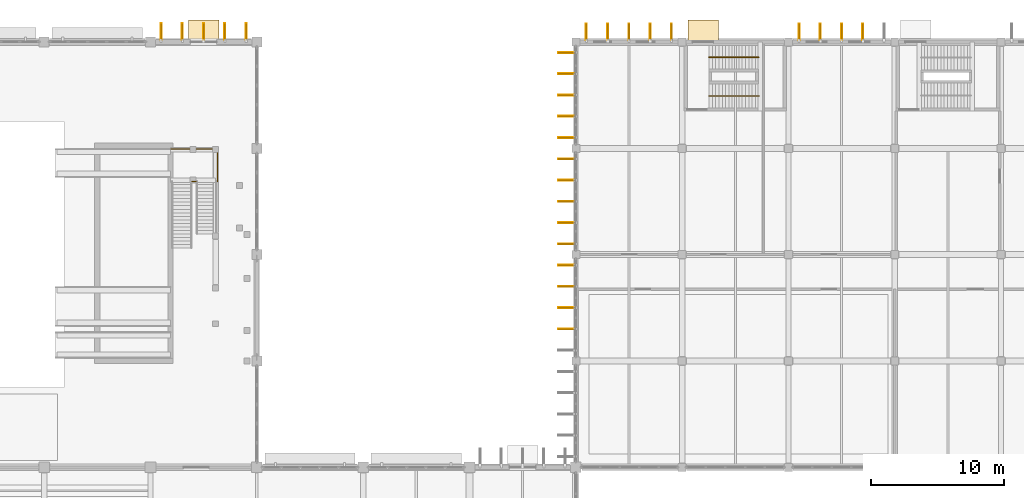
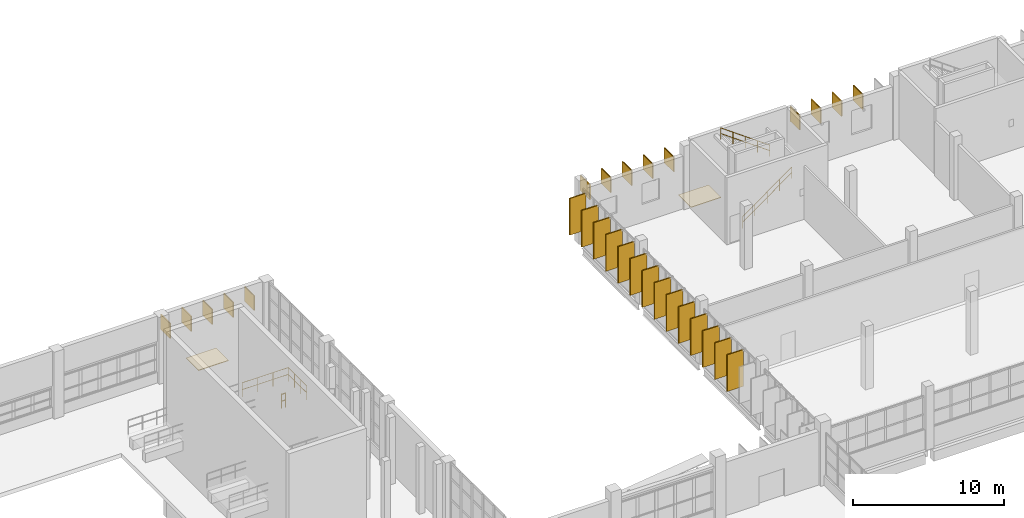
# One storey, part 99 of 103: 30 coverings, 28 shading devices, 5 railings.
"""IFC4 building model written with IfcOpenShell, lengths in metres."""

from ifc_helpers import new_model, si_unit, direction, frame, origin, origin_2d, place, context, subcontext, project, spatial, polyline, rectangle, circle, outline, extrude, material, layer, layer_set, type_object, element, save


model = new_model("IFC4")

# Units and contexts
model_context = context("Model", 3, precision=1e-05, world=origin(), true_north=direction((0.0, 1.0)))
body_context = subcontext(model_context, "Body", "Model", "MODEL_VIEW")
ifc_project = project(units=[si_unit("LENGTHUNIT", "METRE"), si_unit("AREAUNIT", "SQUARE_METRE"), si_unit("VOLUMEUNIT", "CUBIC_METRE"), si_unit("PLANEANGLEUNIT", "RADIAN"), si_unit("MASSUNIT", "GRAM", prefix="KILO")], contexts=[model_context])

# Site, building, storey
site_placement = place(None, origin())
site = spatial("IfcSite", under=ifc_project, at=site_placement, CompositionType="ELEMENT")
building_placement = place(site_placement, origin())
building = spatial("IfcBuilding", under=site, at=building_placement, Name="Drelvana Railside Aquatics Centre", CompositionType="ELEMENT")
storey_placement = place(building_placement, origin())
storey = spatial("IfcBuildingStorey", under=building, at=storey_placement, Name="L00", CompositionType="ELEMENT", Elevation=0.0)

# Coverings
ifc_material_1 = material(Name="Catalan trencadis polychrome ceramic mosaic cladding", Category="masonry")
ifc_layer = layer(ifc_material_1, 0.044921875, Name="Catalan trencadis polychrome ceramic mosaic cladding")
ifc_layer_set = layer_set([ifc_layer], Name="Catalan trencadis polychrome ceramic mosaic cladding")
covering_type_1 = type_object("IfcCoveringType", Name="COV-CLAD-TRENCADIS", PredefinedType="CLADDING", material=ifc_layer_set)
covering_1_placement = place(storey_placement, frame((0.0, 0.0, -0.2548828125)))
element("IfcCovering", 1, at=covering_1_placement, inside=storey, type_object=covering_type_1, Name="Threshold apron bedding trim 005", PredefinedType="CLADDING", context=body_context, shape_type="SweptSolid", body=[
    extrude(outline(polyline([(66.85009765625, 116.0048828125), (69.14990234375, 116.0048828125), (69.14990234375, 117.655029296875), (66.85009765625, 117.655029296875), (66.85009765625, 116.0048828125)])), origin(), (0.0, 0.0, 1.0), 0.044921875),
])
covering_2_placement = place(storey_placement, frame((0.0, 0.0, -0.2548828125)))
element("IfcCovering", 2, at=covering_2_placement, inside=storey, type_object=covering_type_1, Name="Threshold apron bedding trim 014", PredefinedType="CLADDING", context=body_context, shape_type="SweptSolid", body=[
    extrude(outline(polyline([(104.425048828125, 116.0048828125), (106.72509765625, 116.0048828125), (106.72509765625, 117.655029296875), (104.425048828125, 117.655029296875), (104.425048828125, 116.0048828125)])), origin(), (0.0, 0.0, 1.0), 0.044921875),
])
ifc_material_2 = material(Name="Bronze-anodised extruded aluminium 6063-T6", Category="aluminium")
covering_type_2 = type_object("IfcCoveringType", Name="COV-FIN-ALU", PredefinedType="CLADDING", material=ifc_material_2)
for number, where, z_axis, x_axis, name in (
    (3, (64.800048828125, 116.760009765625, 3.0), (0.0, 0.0, 1.0), (1.0, 0.0, 0.0), "Vertical aluminium fin cladding CF-0190"),
    (4, (66.39990234375, 116.760009765625, 3.0), (0.0, 0.0, 1.0), (1.0, 0.0, 0.0), "Vertical aluminium fin cladding CF-0191"),
    (5, (68.0, 116.760009765625, 3.0), (0.0, 0.0, 1.0), (1.0, 0.0, 0.0), "Vertical aluminium fin cladding CF-0192"),
    (6, (69.60009765625, 116.760009765625, 3.0), (0.0, 0.0, 1.0), (1.0, 0.0, 0.0), "Vertical aluminium fin cladding CF-0193"),
    (7, (71.199951171875, 116.760009765625, 3.0), (0.0, 0.0, 1.0), (1.0, 0.0, 0.0), "Vertical aluminium fin cladding CF-0194"),
    (8, (96.800048828125, 116.7451171875, 3.0), (0.0, 0.0, 1.0), (1.0, 0.0, 0.0), "Vertical aluminium fin cladding CF-0466"),
    (9, (98.39990234375, 116.7451171875, 3.0), (0.0, 0.0, 1.0), (1.0, 0.0, 0.0), "Vertical aluminium fin cladding CF-0467"),
    (10, (100.0, 116.7451171875, 3.0), (0.0, 0.0, 1.0), (1.0, 0.0, 0.0), "Vertical aluminium fin cladding CF-0468"),
    (11, (101.60009765625, 116.7451171875, 3.0), (0.0, 0.0, 1.0), (1.0, 0.0, 0.0), "Vertical aluminium fin cladding CF-0469"),
    (12, (103.199951171875, 116.7451171875, 3.0), (0.0, 0.0, 1.0), (1.0, 0.0, 0.0), "Vertical aluminium fin cladding CF-0470"),
    (13, (112.800048828125, 116.7451171875, 3.0), (0.0, 0.0, 1.0), (1.0, 0.0, 0.0), "Vertical aluminium fin cladding CF-0476"),
    (14, (114.39990234375, 116.7451171875, 3.0), (0.0, 0.0, 1.0), (1.0, 0.0, 0.0), "Vertical aluminium fin cladding CF-0477"),
    (15, (116.0, 116.7451171875, 3.0), (0.0, 0.0, 1.0), (1.0, 0.0, 0.0), "Vertical aluminium fin cladding CF-0478"),
    (16, (117.60009765625, 116.7451171875, 3.0), (0.0, 0.0, 1.0), (1.0, 0.0, 0.0), "Vertical aluminium fin cladding CF-0479"),
):
    element("IfcCovering", number, at=place(storey_placement, frame(where, z_axis=z_axis, x_axis=x_axis)), inside=storey, type_object=covering_type_2, Name=name, PredefinedType="CLADDING", context=body_context, shape_type="SweptSolid", body=[
        extrude(rectangle(XDim=0.0849609375, YDim=1.25, at=origin_2d()), origin(), (0.0, 0.0, 1.0), 1.199951171875),
    ])
for number, where, z_axis, x_axis, name in (
    (17, (95.31494140625, 94.39990234375, 1.4501953125), (0.0, 0.0, 1.0), (0.0, 1.0, 0.0), "Vertical aluminium fin cladding CF-0507"),
    (18, (95.31494140625, 96.0, 1.4501953125), (0.0, 0.0, 1.0), (0.0, 1.0, 0.0), "Vertical aluminium fin cladding CF-0508"),
    (19, (95.31494140625, 97.60009765625, 1.4501953125), (0.0, 0.0, 1.0), (0.0, 1.0, 0.0), "Vertical aluminium fin cladding CF-0509"),
    (20, (95.31494140625, 99.199951171875, 1.4501953125), (0.0, 0.0, 1.0), (0.0, 1.0, 0.0), "Vertical aluminium fin cladding CF-0510"),
    (21, (95.31494140625, 100.800048828125, 1.4501953125), (0.0, 0.0, 1.0), (0.0, 1.0, 0.0), "Vertical aluminium fin cladding CF-0516"),
    (22, (95.31494140625, 102.39990234375, 1.4501953125), (0.0, 0.0, 1.0), (0.0, 1.0, 0.0), "Vertical aluminium fin cladding CF-0517"),
    (23, (95.31494140625, 104.0, 1.4501953125), (0.0, 0.0, 1.0), (0.0, 1.0, 0.0), "Vertical aluminium fin cladding CF-0518"),
    (24, (95.31494140625, 105.60009765625, 1.4501953125), (0.0, 0.0, 1.0), (0.0, 1.0, 0.0), "Vertical aluminium fin cladding CF-0519"),
    (25, (95.31494140625, 107.199951171875, 1.4501953125), (0.0, 0.0, 1.0), (0.0, 1.0, 0.0), "Vertical aluminium fin cladding CF-0520"),
    (26, (95.31494140625, 108.800048828125, 1.4501953125), (0.0, 0.0, 1.0), (0.0, 1.0, 0.0), "Vertical aluminium fin cladding CF-0526"),
    (27, (95.31494140625, 110.39990234375, 1.4501953125), (0.0, 0.0, 1.0), (0.0, 1.0, 0.0), "Vertical aluminium fin cladding CF-0527"),
    (28, (95.31494140625, 112.0, 1.4501953125), (0.0, 0.0, 1.0), (0.0, 1.0, 0.0), "Vertical aluminium fin cladding CF-0528"),
    (29, (95.31494140625, 113.60009765625, 1.4501953125), (0.0, 0.0, 1.0), (0.0, 1.0, 0.0), "Vertical aluminium fin cladding CF-0529"),
    (30, (95.31494140625, 115.199951171875, 1.4501953125), (0.0, 0.0, 1.0), (0.0, 1.0, 0.0), "Vertical aluminium fin cladding CF-0530"),
):
    element("IfcCovering", number, at=place(storey_placement, frame(where, z_axis=z_axis, x_axis=x_axis)), inside=storey, type_object=covering_type_2, Name=name, PredefinedType="CLADDING", context=body_context, shape_type="SweptSolid", body=[
        extrude(rectangle(XDim=0.0849609375, YDim=1.25, at=origin_2d()), origin(), (0.0, 0.0, 1.0), 2.949951171875),
    ])

# Railings
ifc_material_3 = material(Name="Brushed stainless steel stair pitch handrail", Category="steel")
railing_type_1 = type_object("IfcRailingType", Name="RAL-HANDRAIL-950", PredefinedType="HANDRAIL", material=ifc_material_3)
railing_1_placement = place(storey_placement, frame((106.02001953125, 111.949951171875, 0.0)))
element("IfcRailing", 31, at=railing_1_placement, inside=storey, type_object=railing_type_1, Name="Stair ST-11 flight 1 handrail (L00)", PredefinedType="HANDRAIL", context=body_context, shape_type="SweptSolid", body=[
    extrude(circle(Radius=0.02392578125, at=origin_2d()), frame((0.0, 0.0, 0.92578125), z_axis=(0.811539352079, 0.0, 0.584297766578), x_axis=(0.0, 1.0, 0.0)), (0.0, 0.0, 1.0), 4.620849609375),
    extrude(circle(Radius=0.02392578125, at=origin_2d()), frame((0.0, 0.0, 0.47509765625), z_axis=(0.811539352079, 0.0, 0.584297766578), x_axis=(0.0, 1.0, 0.0)), (0.0, 0.0, 1.0), 4.620849609375),
    extrude(circle(Radius=0.02099609375, at=origin_2d()), origin(), (0.0, 0.0, 1.0), 0.90185546875),
    extrude(circle(Radius=0.02099609375, at=origin_2d()), frame((0.9375, 0.0, 0.675048828125)), (0.0, 0.0, 1.0), 0.90185546875),
    extrude(circle(Radius=0.02099609375, at=origin_2d()), frame((1.875, 0.0, 1.35009765625)), (0.0, 0.0, 1.0), 0.90185546875),
    extrude(circle(Radius=0.02099609375, at=origin_2d()), frame((2.8125, 0.0, 2.02490234375)), (0.0, 0.0, 1.0), 0.90185546875),
    extrude(circle(Radius=0.02099609375, at=origin_2d()), frame((3.75, 0.0, 2.699951171875)), (0.0, 0.0, 1.0), 0.90185546875),
])
railing_2_placement = place(storey_placement, frame((109.77001953125, 114.85009765625, 2.699951171875)))
element("IfcRailing", 32, at=railing_2_placement, inside=storey, type_object=railing_type_1, Name="Stair ST-11 flight 2 handrail (L00)", PredefinedType="HANDRAIL", context=body_context, shape_type="SweptSolid", body=[
    extrude(circle(Radius=0.02392578125, at=origin_2d()), frame((0.0, 0.0, 0.92578125), z_axis=(-0.811539352079, 0.0, 0.584297766578), x_axis=(0.0, -1.0, 0.0)), (0.0, 0.0, 1.0), 4.620849609375),
    extrude(circle(Radius=0.02392578125, at=origin_2d()), frame((0.0, 0.0, 0.47509765625), z_axis=(-0.811539352079, 0.0, 0.584297766578), x_axis=(0.0, -1.0, 0.0)), (0.0, 0.0, 1.0), 4.620849609375),
    extrude(circle(Radius=0.02099609375, at=origin_2d()), origin(), (0.0, 0.0, 1.0), 0.90185546875),
    extrude(circle(Radius=0.02099609375, at=origin_2d()), frame((-0.9375, 0.0, 0.675048828125)), (0.0, 0.0, 1.0), 0.90185546875),
    extrude(circle(Radius=0.02099609375, at=origin_2d()), frame((-1.875, 0.0, 1.35009765625)), (0.0, 0.0, 1.0), 0.90185546875),
    extrude(circle(Radius=0.02099609375, at=origin_2d()), frame((-2.8125, 0.0, 2.02490234375)), (0.0, 0.0, 1.0), 0.90185546875),
    extrude(circle(Radius=0.02099609375, at=origin_2d()), frame((-3.75, 0.0, 2.699951171875)), (0.0, 0.0, 1.0), 0.90185546875),
])
ifc_material_4 = material(Name="Brushed stainless steel stairwell guard", Category="steel")
railing_type_2 = type_object("IfcRailingType", Name="RAL-STAIR-1150", PredefinedType="GUARDRAIL", material=ifc_material_4)
railing_3_placement = place(storey_placement, frame((65.550048828125, 107.949951171875, 3.0)))
element("IfcRailing", 33, at=railing_3_placement, inside=storey, type_object=railing_type_2, Name="Diving stair landing guard 1", PredefinedType="GUARDRAIL", context=body_context, shape_type="SweptSolid", body=[
    extrude(circle(Radius=0.02392578125, at=origin_2d()), frame((0.0, 0.0, 1.1259765625), z_axis=(1.0, 0.0, 0.0), x_axis=(0.0, 1.0, 0.0)), (0.0, 0.0, 1.0), 3.5),
    extrude(circle(Radius=0.02392578125, at=origin_2d()), frame((0.0, 0.0, 0.574951171875), z_axis=(1.0, 0.0, 0.0), x_axis=(0.0, 1.0, 0.0)), (0.0, 0.0, 1.0), 3.5),
    extrude(circle(Radius=0.02099609375, at=origin_2d()), origin(), (0.0, 0.0, 1.0), 1.101806640625),
    extrude(circle(Radius=0.02099609375, at=origin_2d()), frame((1.166748046875, 0.0, 0.0)), (0.0, 0.0, 1.0), 1.101806640625),
    extrude(circle(Radius=0.02099609375, at=origin_2d()), frame((2.333251953125, 0.0, 0.0)), (0.0, 0.0, 1.0), 1.101806640625),
    extrude(circle(Radius=0.02099609375, at=origin_2d()), frame((3.5, 0.0, 0.0)), (0.0, 0.0, 1.0), 1.101806640625),
])
railing_4_placement = place(storey_placement, frame((69.050048828125, 105.5, 3.0)))
element("IfcRailing", 34, at=railing_4_placement, inside=storey, type_object=railing_type_2, Name="Diving stair landing guard 2", PredefinedType="GUARDRAIL", context=body_context, shape_type="SweptSolid", body=[
    extrude(circle(Radius=0.02392578125, at=origin_2d()), frame((0.0, 0.0, 1.1259765625), z_axis=(0.0, 1.0, 0.0), x_axis=(-1.0, 0.0, 0.0)), (0.0, 0.0, 1.0), 2.449951171875),
    extrude(circle(Radius=0.02392578125, at=origin_2d()), frame((0.0, 0.0, 0.574951171875), z_axis=(0.0, 1.0, 0.0), x_axis=(-1.0, 0.0, 0.0)), (0.0, 0.0, 1.0), 2.449951171875),
    extrude(circle(Radius=0.02099609375, at=origin_2d()), origin(), (0.0, 0.0, 1.0), 1.101806640625),
    extrude(circle(Radius=0.02099609375, at=origin_2d()), frame((0.0, 0.816650390625, 0.0)), (0.0, 0.0, 1.0), 1.101806640625),
    extrude(circle(Radius=0.02099609375, at=origin_2d()), frame((0.0, 1.63330078125, 0.0)), (0.0, 0.0, 1.0), 1.101806640625),
    extrude(circle(Radius=0.02099609375, at=origin_2d()), frame((0.0, 2.449951171875, 0.0)), (0.0, 0.0, 1.0), 1.101806640625),
])
railing_5_placement = place(storey_placement, frame((67.1201171875, 105.5, 3.0)))
element("IfcRailing", 35, at=railing_5_placement, inside=storey, type_object=railing_type_2, Name="Diving stair landing guard 3", PredefinedType="GUARDRAIL", context=body_context, shape_type="SweptSolid", body=[
    extrude(circle(Radius=0.02392578125, at=origin_2d()), frame((0.0, 0.0, 1.1259765625), z_axis=(1.0, 0.0, 0.0), x_axis=(0.0, 1.0, 0.0)), (0.0, 0.0, 1.0), 0.2998046875),
    extrude(circle(Radius=0.02392578125, at=origin_2d()), frame((0.0, 0.0, 0.574951171875), z_axis=(1.0, 0.0, 0.0), x_axis=(0.0, 1.0, 0.0)), (0.0, 0.0, 1.0), 0.2998046875),
    extrude(circle(Radius=0.02099609375, at=origin_2d()), origin(), (0.0, 0.0, 1.0), 1.101806640625),
    extrude(circle(Radius=0.02099609375, at=origin_2d()), frame((0.2998046875, 0.0, 0.0)), (0.0, 0.0, 1.0), 1.101806640625),
])

# Shading devices
shading_device_type = type_object("IfcShadingDeviceType", Name="SHD-FIN-1250", PredefinedType="USERDEFINED", material=ifc_material_2)
for number, where, z_axis, x_axis, name in (
    (36, (64.800048828125, 116.780029296875, 3.0), (0.0, 0.0, 1.0), (0.0, 1.0, 0.0), "Vertical bronze shading fin FN-0197"),
    (37, (66.39990234375, 116.780029296875, 3.0), (0.0, 0.0, 1.0), (0.0, 1.0, 0.0), "Vertical bronze shading fin FN-0198"),
    (38, (68.0, 116.780029296875, 3.0), (0.0, 0.0, 1.0), (0.0, 1.0, 0.0), "Vertical bronze shading fin FN-0199"),
    (39, (69.60009765625, 116.780029296875, 3.0), (0.0, 0.0, 1.0), (0.0, 1.0, 0.0), "Vertical bronze shading fin FN-0200"),
    (40, (71.199951171875, 116.780029296875, 3.0), (0.0, 0.0, 1.0), (0.0, 1.0, 0.0), "Vertical bronze shading fin FN-0201"),
    (41, (96.800048828125, 116.764892578125, 3.0), (0.0, 0.0, 1.0), (0.0, 1.0, 0.0), "Vertical bronze shading fin FN-0473"),
    (42, (98.39990234375, 116.764892578125, 3.0), (0.0, 0.0, 1.0), (0.0, 1.0, 0.0), "Vertical bronze shading fin FN-0474"),
    (43, (100.0, 116.764892578125, 3.0), (0.0, 0.0, 1.0), (0.0, 1.0, 0.0), "Vertical bronze shading fin FN-0475"),
    (44, (101.60009765625, 116.764892578125, 3.0), (0.0, 0.0, 1.0), (0.0, 1.0, 0.0), "Vertical bronze shading fin FN-0476"),
    (45, (103.199951171875, 116.764892578125, 3.0), (0.0, 0.0, 1.0), (0.0, 1.0, 0.0), "Vertical bronze shading fin FN-0477"),
    (46, (112.800048828125, 116.764892578125, 3.0), (0.0, 0.0, 1.0), (0.0, 1.0, 0.0), "Vertical bronze shading fin FN-0483"),
    (47, (114.39990234375, 116.764892578125, 3.0), (0.0, 0.0, 1.0), (0.0, 1.0, 0.0), "Vertical bronze shading fin FN-0484"),
    (48, (116.0, 116.764892578125, 3.0), (0.0, 0.0, 1.0), (0.0, 1.0, 0.0), "Vertical bronze shading fin FN-0485"),
    (49, (117.60009765625, 116.764892578125, 3.0), (0.0, 0.0, 1.0), (0.0, 1.0, 0.0), "Vertical bronze shading fin FN-0486"),
):
    element("IfcShadingDevice", number, at=place(storey_placement, frame(where, z_axis=z_axis, x_axis=x_axis)), inside=storey, type_object=shading_device_type, Name=name, ObjectType="FIN", PredefinedType="USERDEFINED", context=body_context, shape_type="SweptSolid", body=[
        extrude(rectangle(XDim=1.25, YDim=0.06494140625, at=origin_2d()), origin(), (0.0, 0.0, 1.0), 1.199951171875),
    ])
for number, where, z_axis, x_axis, name in (
    (50, (95.294921875, 94.39990234375, 1.4501953125), (0.0, 0.0, 1.0), (-1.0, 0.0, 0.0), "Vertical bronze shading fin FN-0514"),
    (51, (95.294921875, 96.0, 1.4501953125), (0.0, 0.0, 1.0), (-1.0, 0.0, 0.0), "Vertical bronze shading fin FN-0515"),
    (52, (95.294921875, 97.60009765625, 1.4501953125), (0.0, 0.0, 1.0), (-1.0, 0.0, 0.0), "Vertical bronze shading fin FN-0516"),
    (53, (95.294921875, 99.199951171875, 1.4501953125), (0.0, 0.0, 1.0), (-1.0, 0.0, 0.0), "Vertical bronze shading fin FN-0517"),
    (54, (95.294921875, 100.800048828125, 1.4501953125), (0.0, 0.0, 1.0), (-1.0, 0.0, 0.0), "Vertical bronze shading fin FN-0523"),
    (55, (95.294921875, 102.39990234375, 1.4501953125), (0.0, 0.0, 1.0), (-1.0, 0.0, 0.0), "Vertical bronze shading fin FN-0524"),
    (56, (95.294921875, 104.0, 1.4501953125), (0.0, 0.0, 1.0), (-1.0, 0.0, 0.0), "Vertical bronze shading fin FN-0525"),
    (57, (95.294921875, 105.60009765625, 1.4501953125), (0.0, 0.0, 1.0), (-1.0, 0.0, 0.0), "Vertical bronze shading fin FN-0526"),
    (58, (95.294921875, 107.199951171875, 1.4501953125), (0.0, 0.0, 1.0), (-1.0, 0.0, 0.0), "Vertical bronze shading fin FN-0527"),
    (59, (95.294921875, 108.800048828125, 1.4501953125), (0.0, 0.0, 1.0), (-1.0, 0.0, 0.0), "Vertical bronze shading fin FN-0533"),
    (60, (95.294921875, 110.39990234375, 1.4501953125), (0.0, 0.0, 1.0), (-1.0, 0.0, 0.0), "Vertical bronze shading fin FN-0534"),
    (61, (95.294921875, 112.0, 1.4501953125), (0.0, 0.0, 1.0), (-1.0, 0.0, 0.0), "Vertical bronze shading fin FN-0535"),
    (62, (95.294921875, 113.60009765625, 1.4501953125), (0.0, 0.0, 1.0), (-1.0, 0.0, 0.0), "Vertical bronze shading fin FN-0536"),
    (63, (95.294921875, 115.199951171875, 1.4501953125), (0.0, 0.0, 1.0), (-1.0, 0.0, 0.0), "Vertical bronze shading fin FN-0537"),
):
    element("IfcShadingDevice", number, at=place(storey_placement, frame(where, z_axis=z_axis, x_axis=x_axis)), inside=storey, type_object=shading_device_type, Name=name, ObjectType="FIN", PredefinedType="USERDEFINED", context=body_context, shape_type="SweptSolid", body=[
        extrude(rectangle(XDim=1.25, YDim=0.06494140625, at=origin_2d()), origin(), (0.0, 0.0, 1.0), 2.949951171875),
    ])

save(model, "model.ifc")
